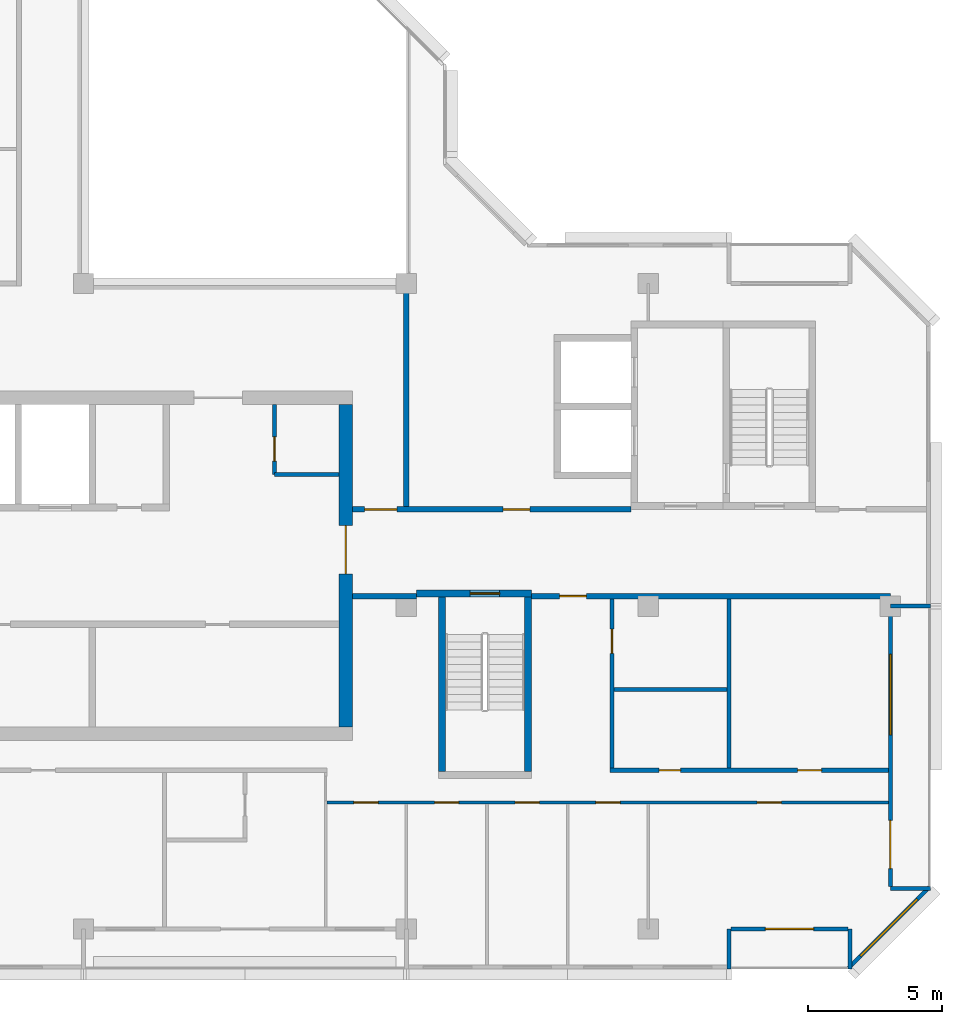
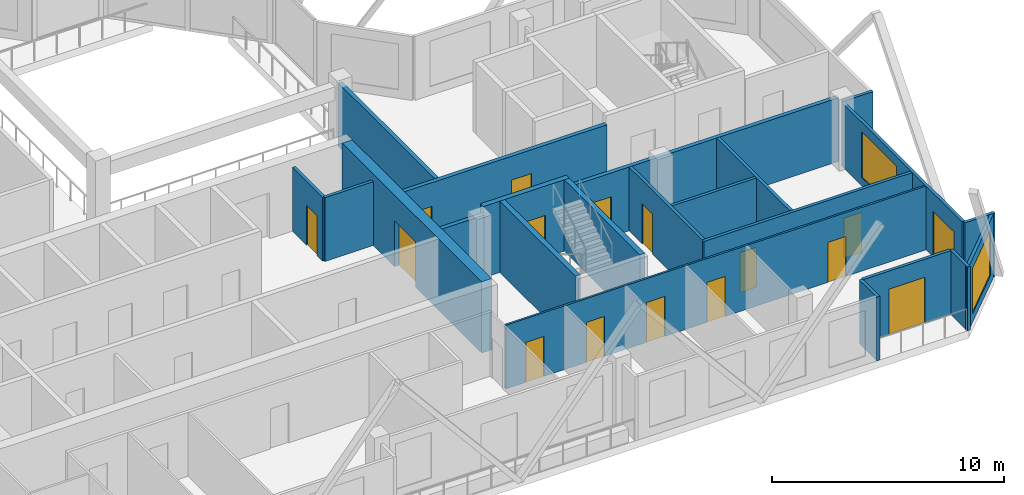
# One storey, part 6 of 12: 22 walls, 16 doors, 2 windows, 18 openings.
"""IFC4 building model written with IfcOpenShell, lengths in metres."""

from ifc_helpers import new_model, si_unit, direction, frame, frame_2d, origin, place, context, subcontext, project, spatial, rectangle, extrude, material, layer, layer_set, type_object, element, fill, save


model = new_model("IFC4")

# Units and contexts
model_context = context("Model", 3, precision=1e-05, world=origin(), true_north=direction((0.0, 1.0)))
body_context = subcontext(model_context, "Body", "Model", "MODEL_VIEW")
ifc_project = project(units=[si_unit("LENGTHUNIT", "METRE"), si_unit("AREAUNIT", "SQUARE_METRE"), si_unit("VOLUMEUNIT", "CUBIC_METRE"), si_unit("PLANEANGLEUNIT", "RADIAN"), si_unit("MASSUNIT", "GRAM", prefix="KILO")], contexts=[model_context])

# Site, building, storey
site_placement = place(None, origin())
site = spatial("IfcSite", under=ifc_project, at=site_placement, CompositionType="ELEMENT")
building_placement = place(site_placement, origin())
building = spatial("IfcBuilding", under=site, at=building_placement, Name="Chenar Terraces", CompositionType="ELEMENT")
storey_placement = place(building_placement, frame((0.0, 0.0, 353.89990234375)))
storey = spatial("IfcBuildingStorey", under=building, at=storey_placement, Name="L82", CompositionType="ELEMENT", Elevation=353.89990234375)

# Wall, opening, door
ifc_material_1 = material(Name="Gypsum board on steel studs", Category="steel")
ifc_layer_1 = layer(ifc_material_1, 0.14990234375)
ifc_layer_set_1 = layer_set([ifc_layer_1], Name="Gypsum board on steel studs")
wall_type_1 = type_object("IfcWallType", Name="Core partition 150 gypsum board", PredefinedType="PARTITIONING", material=ifc_layer_set_1)
wall_1_placement = place(storey_placement, frame((31.10009765625, 16.89990234375, 0.0), z_axis=(0.0, 0.0, 1.0), x_axis=(0.0, 1.0, 0.0)))
wall_1 = element("IfcWall", 1, at=wall_1_placement, inside=storey, type_object=wall_type_1, Name="Core partition CP1 vestibule room west wall", PredefinedType="PARTITIONING", context=body_context, shape_type="SweptSolid", body=[
    extrude(rectangle(XDim=2.60009765625, YDim=0.14990234375, at=frame_2d((1.300048828125, 0.0))), origin(), (0.0, 0.0, 1.0), 3.35009765625),
])
opening_1_placement = place(wall_1_placement, frame((0.5, 0.0, 0.0)))
opening_1 = element("IfcOpeningElement", 2, at=opening_1_placement, cuts=wall_1, Name="Opening DL82-C16", PredefinedType="OPENING", context=body_context, shape_type="SweptSolid", body=[
    extrude(rectangle(XDim=0.89990234375, YDim=2.10009765625, at=frame_2d((0.449951171875, 1.050048828125))), frame((0.0, 0.0849609375, 0.0), z_axis=(0.0, -1.0, 0.0), x_axis=(1.0, 0.0, 0.0)), (0.0, 0.0, 1.0), 0.169921875),
])
ifc_material_2 = material(Name="Steel-framed fire-resisting door leaf", Category="steel")
door_type_1 = type_object("IfcDoorType", Name="Riser fire door FD60 900 x 2100", OperationType="SINGLE_SWING_LEFT", PredefinedType="DOOR", material=ifc_material_2)
door_1_placement = place(opening_1_placement, frame((0.89990234375, 0.0, 0.0), z_axis=(0.0, 0.0, 1.0), x_axis=(-1.0, 0.0, 0.0)))
door_1 = element("IfcDoor", 3, at=door_1_placement, inside=storey, type_object=door_type_1, Name="Core room door DL82-C16", OperationType="SINGLE_SWING_RIGHT", OverallHeight=2.10009765625, OverallWidth=0.89990234375, PredefinedType="DOOR", context=body_context, shape_type="SweptSolid", body=[
    extrude(rectangle(XDim=0.89990234375, YDim=2.10009765625, at=frame_2d((0.449951171875, 1.050048828125))), frame((0.0, 0.02490234375, 0.0), z_axis=(0.0, -1.0, 0.0), x_axis=(1.0, 0.0, 0.0)), (0.0, 0.0, 1.0), 0.050048828125),
])
fill(opening_1, door_1)

# Wall
wall_2_placement = place(storey_placement, frame((31.10009765625, 16.89990234375, 0.0), z_axis=(0.0, 0.0, 1.0), x_axis=(1.0, 0.0, 0.0)))
element("IfcWall", 4, at=wall_2_placement, inside=storey, type_object=wall_type_1, Name="Core partition CP1 vestibule room south wall", PredefinedType="PARTITIONING", context=body_context, shape_type="SweptSolid", body=[
    extrude(rectangle(XDim=2.39990234375, YDim=0.14990234375, at=frame_2d((1.199951171875, 0.0))), origin(), (0.0, 0.0, 1.0), 3.35009765625),
])

# Wall, opening, door
ifc_material_3 = material(Name="Concrete C50/60", Category="concrete")
ifc_layer_2 = layer(ifc_material_3, 0.25)
ifc_layer_set_2 = layer_set([ifc_layer_2], Name="Concrete C50/60")
wall_type_2 = type_object("IfcWallType", Name="Core wall 250 Concrete C50/60", PredefinedType="SHEAR", material=ifc_layer_set_2)
wall_3_placement = place(storey_placement, frame((36.375, 12.47509765625, 0.0), z_axis=(0.0, 0.0, 1.0), x_axis=(1.0, 0.0, 0.0)))
wall_3 = element("IfcWall", 5, at=wall_3_placement, inside=storey, type_object=wall_type_2, Name="Core wall ST2_N L82", PredefinedType="SHEAR", context=body_context, shape_type="SweptSolid", body=[
    extrude(rectangle(XDim=4.27490234375, YDim=0.25, at=frame_2d((2.137451171875, 0.0))), origin(), (0.0, 0.0, 1.0), 3.75),
])
opening_2_placement = place(wall_3_placement, frame((2.0, 0.0, 0.0)))
opening_2 = element("IfcOpeningElement", 6, at=opening_2_placement, cuts=wall_3, Name="Opening DL82-C7", PredefinedType="OPENING", context=body_context, shape_type="SweptSolid", body=[
    extrude(rectangle(XDim=1.10009765625, YDim=2.199951171875, at=frame_2d((0.550048828125, 1.10009765625))), frame((0.0, 0.135009765625, 0.0), z_axis=(0.0, -1.0, 0.0), x_axis=(1.0, 0.0, 0.0)), (0.0, 0.0, 1.0), 0.27001953125),
])
ifc_material_4 = material(Name="Steel-framed fire-resisting door leaf", Category="steel")
door_type_2 = type_object("IfcDoorType", Name="Stair fire door FD60 1100 x 2200", OperationType="SINGLE_SWING_LEFT", PredefinedType="DOOR", material=ifc_material_4)
door_2_placement = place(opening_2_placement, frame((1.10009765625, 0.0, 0.0), z_axis=(0.0, 0.0, 1.0), x_axis=(-1.0, 0.0, 0.0)))
door_2 = element("IfcDoor", 7, at=door_2_placement, inside=storey, type_object=door_type_2, Name="Stair door DL82-C7", OperationType="SINGLE_SWING_LEFT", OverallHeight=2.199951171875, OverallWidth=1.10009765625, PredefinedType="DOOR", context=body_context, shape_type="SweptSolid", body=[
    extrude(rectangle(XDim=1.10009765625, YDim=2.199951171875, at=frame_2d((0.550048828125, 1.10009765625))), frame((0.0, 0.02490234375, 0.0), z_axis=(0.0, -1.0, 0.0), x_axis=(1.0, 0.0, 0.0)), (0.0, 0.0, 1.0), 0.050048828125),
])
fill(opening_2, door_2)

# Walls
for number, where, z_axis, x_axis, name in (
    (8, (37.324951171875, 5.85009765625, 0.0), (0.0, 0.0, 1.0), (0.0, 1.0, 0.0), "Core wall ST2_W L82"),
    (9, (40.52490234375, 5.85009765625, 0.0), (0.0, 0.0, 1.0), (0.0, 1.0, 0.0), "Core wall ST2_E L82"),
):
    element("IfcWall", number, at=place(storey_placement, frame(where, z_axis=z_axis, x_axis=x_axis)), inside=storey, type_object=wall_type_2, Name=name, PredefinedType="SHEAR", context=body_context, shape_type="SweptSolid", body=[
        extrude(rectangle(XDim=6.5, YDim=0.25, at=frame_2d((3.25, 0.0))), origin(), (0.0, 0.0, 1.0), 3.75),
    ])

# Wall, opening, door
ifc_material_5 = material(Name="Concrete C50/60", Category="concrete")
ifc_layer_3 = layer(ifc_material_5, 0.5)
ifc_layer_set_3 = layer_set([ifc_layer_3], Name="Concrete C50/60")
wall_type_3 = type_object("IfcWallType", Name="Core wall 500 Concrete C50/60", PredefinedType="SHEAR", material=ifc_layer_set_3)
wall_4_placement = place(storey_placement, frame((33.75, 7.5, 0.0), z_axis=(0.0, 0.0, 1.0), x_axis=(0.0, 1.0, 0.0)))
wall_4 = element("IfcWall", 10, at=wall_4_placement, inside=storey, type_object=wall_type_3, Name="Core wall E L82", PredefinedType="SHEAR", context=body_context, shape_type="SweptSolid", body=[
    extrude(rectangle(XDim=12.0, YDim=0.5, at=frame_2d((6.0, 0.0))), origin(), (0.0, 0.0, 1.0), 3.75),
])
opening_3_placement = place(wall_4_placement, frame((5.699951171875, 0.0, 0.0)))
opening_3 = element("IfcOpeningElement", 11, at=opening_3_placement, cuts=wall_4, Name="Opening DL82-C1", PredefinedType="OPENING", context=body_context, shape_type="SweptSolid", body=[
    extrude(rectangle(XDim=1.800048828125, YDim=2.39990234375, at=frame_2d((0.89990234375, 1.199951171875))), frame((0.0, 0.260009765625, 0.0), z_axis=(0.0, -1.0, 0.0), x_axis=(1.0, 0.0, 0.0)), (0.0, 0.0, 1.0), 0.52001953125),
])
ifc_material_6 = material(Name="Steel-framed fire-resisting door leaf", Category="steel")
door_type_3 = type_object("IfcDoorType", Name="Core entrance double fire door FD60 1800 x 2400", OperationType="DOUBLE_DOOR_SINGLE_SWING", PredefinedType="DOOR", material=ifc_material_6)
door_3_placement = place(opening_3_placement, origin())
door_3 = element("IfcDoor", 12, at=door_3_placement, inside=storey, type_object=door_type_3, Name="Core door DL82-C1", OperationType="DOUBLE_DOOR_SINGLE_SWING", OverallHeight=2.39990234375, OverallWidth=1.800048828125, PredefinedType="DOOR", context=body_context, shape_type="SweptSolid", body=[
    extrude(rectangle(XDim=1.800048828125, YDim=2.39990234375, at=frame_2d((0.89990234375, 1.199951171875))), frame((0.0, 0.02490234375, 0.0), z_axis=(0.0, -1.0, 0.0), x_axis=(1.0, 0.0, 0.0)), (0.0, 0.0, 1.0), 0.050048828125),
])
fill(opening_3, door_3)

# Wall
ifc_material_7 = material(Name="Gypsum board on steel studs with fire boards", Category="steel")
ifc_layer_4 = layer(ifc_material_7, 0.199951171875)
ifc_layer_set_4 = layer_set([ifc_layer_4], Name="Gypsum board on steel studs with fire boards")
wall_type_4 = type_object("IfcWallType", Name="Corridor wall 200", PredefinedType="PARTITIONING", material=ifc_layer_set_4)
wall_5_placement = place(storey_placement, frame((34.0, 12.375, 0.0), z_axis=(0.0, 0.0, 1.0), x_axis=(1.0, 0.0, 0.0)))
element("IfcWall", 13, at=wall_5_placement, inside=storey, type_object=wall_type_4, Name="Partition L82-052", PredefinedType="PARTITIONING", context=body_context, shape_type="SweptSolid", body=[
    extrude(rectangle(XDim=2.3759765625, YDim=0.199951171875, at=frame_2d((1.18798828125, 0.0))), origin(), (0.0, 0.0, 1.0), 3.35009765625),
])

# Wall, openings, doors
wall_6_placement = place(storey_placement, frame((34.0, 15.60009765625, 0.0), z_axis=(0.0, 0.0, 1.0), x_axis=(1.0, 0.0, 0.0)))
wall_6 = element("IfcWall", 14, at=wall_6_placement, inside=storey, type_object=wall_type_4, Name="Partition L82-053", PredefinedType="PARTITIONING", context=body_context, shape_type="SweptSolid", body=[
    extrude(rectangle(XDim=10.35009765625, YDim=0.199951171875, at=frame_2d((5.175048828125, 0.0))), origin(), (0.0, 0.0, 1.0), 3.35009765625),
])
opening_4_placement = place(wall_6_placement, frame((5.60009765625, 0.0, 0.0)))
opening_4 = element("IfcOpeningElement", 15, at=opening_4_placement, cuts=wall_6, Name="Opening DL82-3", PredefinedType="OPENING", context=body_context, shape_type="SweptSolid", body=[
    extrude(rectangle(XDim=1.0, YDim=2.10009765625, at=frame_2d((0.5, 1.050048828125))), frame((0.0, 0.10986328125, 0.0), z_axis=(0.0, -1.0, 0.0), x_axis=(1.0, 0.0, 0.0)), (0.0, 0.0, 1.0), 0.219970703125),
])
opening_5_placement = place(wall_6_placement, frame((0.449951171875, 0.0, 0.0)))
opening_5 = element("IfcOpeningElement", 16, at=opening_5_placement, cuts=wall_6, Name="Opening DL82-18", PredefinedType="OPENING", context=body_context, shape_type="SweptSolid", body=[
    extrude(rectangle(XDim=1.199951171875, YDim=2.10009765625, at=frame_2d((0.60009765625, 1.050048828125))), frame((0.0, 0.10986328125, 0.0), z_axis=(0.0, -1.0, 0.0), x_axis=(1.0, 0.0, 0.0)), (0.0, 0.0, 1.0), 0.219970703125),
])
ifc_material_8 = material(Name="Steel-framed fire-resisting door leaf", Category="steel")
door_type_4 = type_object("IfcDoorType", Name="Fire door FD60 1000 x 2100", OperationType="SINGLE_SWING_LEFT", PredefinedType="DOOR", material=ifc_material_8)
door_4_placement = place(opening_4_placement, origin())
door_4 = element("IfcDoor", 17, at=door_4_placement, inside=storey, type_object=door_type_4, Name="Door DL82-3", OperationType="SINGLE_SWING_RIGHT", OverallHeight=2.10009765625, OverallWidth=1.0, PredefinedType="DOOR", context=body_context, shape_type="SweptSolid", body=[
    extrude(rectangle(XDim=1.0, YDim=2.10009765625, at=frame_2d((0.5, 1.050048828125))), frame((0.0, 0.02490234375, 0.0), z_axis=(0.0, -1.0, 0.0), x_axis=(1.0, 0.0, 0.0)), (0.0, 0.0, 1.0), 0.050048828125),
])
fill(opening_4, door_4)
ifc_material_9 = material(Name="Steel-framed fire-resisting door leaf", Category="steel")
door_type_5 = type_object("IfcDoorType", Name="Fire door FD60 1200 x 2100", OperationType="SINGLE_SWING_LEFT", PredefinedType="DOOR", material=ifc_material_9)
door_5_placement = place(opening_5_placement, origin())
door_5 = element("IfcDoor", 18, at=door_5_placement, inside=storey, type_object=door_type_5, Name="Door DL82-18", OperationType="SINGLE_SWING_RIGHT", OverallHeight=2.10009765625, OverallWidth=1.199951171875, PredefinedType="DOOR", context=body_context, shape_type="SweptSolid", body=[
    extrude(rectangle(XDim=1.199951171875, YDim=2.10009765625, at=frame_2d((0.60009765625, 1.050048828125))), frame((0.0, 0.02490234375, 0.0), z_axis=(0.0, -1.0, 0.0), x_axis=(1.0, 0.0, 0.0)), (0.0, 0.0, 1.0), 0.050048828125),
])
fill(opening_5, door_5)

# Wall
wall_7_placement = place(storey_placement, frame((36.0, 15.699951171875, 0.0), z_axis=(0.0, 0.0, 1.0), x_axis=(0.0, 1.0, 0.0)))
element("IfcWall", 19, at=wall_7_placement, inside=storey, type_object=wall_type_4, Name="Partition L82-055", PredefinedType="PARTITIONING", context=body_context, shape_type="SweptSolid", body=[
    extrude(rectangle(XDim=8.300048828125, YDim=0.199951171875, at=frame_2d((4.14990234375, 0.0))), origin(), (0.0, 0.0, 1.0), 3.35009765625),
])

# Wall, opening, door
wall_8_placement = place(storey_placement, frame((40.64990234375, 12.375, 0.0), z_axis=(0.0, 0.0, 1.0), x_axis=(1.0, 0.0, 0.0)))
wall_8 = element("IfcWall", 20, at=wall_8_placement, inside=storey, type_object=wall_type_4, Name="Partition L82-057", PredefinedType="PARTITIONING", context=body_context, shape_type="SweptSolid", body=[
    extrude(rectangle(XDim=13.35009765625, YDim=0.199951171875, at=frame_2d((6.675048828125, 0.0))), origin(), (0.0, 0.0, 1.0), 3.35009765625),
])
opening_6_placement = place(wall_8_placement, frame((1.050048828125, 0.0, 0.0)))
opening_6 = element("IfcOpeningElement", 21, at=opening_6_placement, cuts=wall_8, Name="Opening DL82-35", PredefinedType="OPENING", context=body_context, shape_type="SweptSolid", body=[
    extrude(rectangle(XDim=1.0, YDim=2.10009765625, at=frame_2d((0.5, 1.050048828125))), frame((0.0, 0.10986328125, 0.0), z_axis=(0.0, -1.0, 0.0), x_axis=(1.0, 0.0, 0.0)), (0.0, 0.0, 1.0), 0.219970703125),
])
ifc_material_10 = material(Name="Steel-framed fire-resisting door leaf", Category="steel")
door_type_6 = type_object("IfcDoorType", Name="Fire door FD30S 1000 x 2100", OperationType="SINGLE_SWING_LEFT", PredefinedType="DOOR", material=ifc_material_10)
door_6_placement = place(opening_6_placement, origin())
door_6 = element("IfcDoor", 22, at=door_6_placement, inside=storey, type_object=door_type_6, Name="Door DL82-35", OperationType="SINGLE_SWING_LEFT", OverallHeight=2.10009765625, OverallWidth=1.0, PredefinedType="DOOR", context=body_context, shape_type="SweptSolid", body=[
    extrude(rectangle(XDim=1.0, YDim=2.10009765625, at=frame_2d((0.5, 1.050048828125))), frame((0.0, 0.02490234375, 0.0), z_axis=(0.0, -1.0, 0.0), x_axis=(1.0, 0.0, 0.0)), (0.0, 0.0, 1.0), 0.050048828125),
])
fill(opening_6, door_6)

ifc_material_11 = material(Name="Aluminium framed glazing", Category="aluminium")
ifc_layer_5 = layer(ifc_material_11, 0.14990234375)
ifc_layer_set_5 = layer_set([ifc_layer_5], Name="Aluminium framed glazing")
wall_type_5 = type_object("IfcWallType", Name="Glazed loggia back wall 150", PredefinedType="SOLIDWALL", material=ifc_layer_set_5)
wall_9_placement = place(storey_placement, frame((48.074951171875, 0.0, 0.0), z_axis=(0.0, 0.0, 1.0), x_axis=(1.0, 0.0, 0.0)))
wall_9 = element("IfcWall", 23, at=wall_9_placement, inside=storey, type_object=wall_type_5, Name="Glazed loggia back wall", PredefinedType="SOLIDWALL", context=body_context, shape_type="SweptSolid", body=[
    extrude(rectangle(XDim=4.35009765625, YDim=0.14990234375, at=frame_2d((2.175048828125, 0.0))), origin(), (0.0, 0.0, 1.0), 3.35009765625),
])
opening_7_placement = place(wall_9_placement, frame((1.27490234375, 0.0, 0.0)))
opening_7 = element("IfcOpeningElement", 24, at=opening_7_placement, cuts=wall_9, Name="Opening DL82-G5", PredefinedType="OPENING", context=body_context, shape_type="SweptSolid", body=[
    extrude(rectangle(XDim=1.800048828125, YDim=2.39990234375, at=frame_2d((0.89990234375, 1.199951171875))), frame((0.0, 0.0849609375, 0.0), z_axis=(0.0, -1.0, 0.0), x_axis=(1.0, 0.0, 0.0)), (0.0, 0.0, 1.0), 0.169921875),
])
ifc_material_12 = material(Name="Low emissivity double glazing, aluminium frame", Category="aluminium")
door_type_7 = type_object("IfcDoorType", Name="Loggia glazed double door 1800 x 2400", OperationType="DOUBLE_DOOR_SINGLE_SWING", PredefinedType="DOOR", material=ifc_material_12)
door_7_placement = place(opening_7_placement, frame((1.800048828125, 0.0, 0.0), z_axis=(0.0, 0.0, 1.0), x_axis=(-1.0, 0.0, 0.0)))
door_7 = element("IfcDoor", 25, at=door_7_placement, inside=storey, type_object=door_type_7, Name="Loggia glazed door", OperationType="DOUBLE_DOOR_SINGLE_SWING", OverallHeight=2.39990234375, OverallWidth=1.800048828125, PredefinedType="DOOR", context=body_context, shape_type="SweptSolid", body=[
    extrude(rectangle(XDim=1.800048828125, YDim=2.39990234375, at=frame_2d((0.89990234375, 1.199951171875))), frame((0.0, 0.02490234375, 0.0), z_axis=(0.0, -1.0, 0.0), x_axis=(1.0, 0.0, 0.0)), (0.0, 0.0, 1.0), 0.050048828125),
])
fill(opening_7, door_7)

# Wall, openings, window, door
wall_10_placement = place(storey_placement, frame((54.0, 1.574951171875, 0.0), z_axis=(0.0, 0.0, 1.0), x_axis=(0.0, 1.0, 0.0)))
wall_10 = element("IfcWall", 26, at=wall_10_placement, inside=storey, type_object=wall_type_5, Name="Glazed loggia back wall", PredefinedType="SOLIDWALL", context=body_context, shape_type="SweptSolid", body=[
    extrude(rectangle(XDim=10.35009765625, YDim=0.14990234375, at=frame_2d((5.175048828125, 0.0))), origin(), (0.0, 0.0, 1.0), 3.35009765625),
])
opening_8_placement = place(wall_10_placement, frame((0.66259765625, 0.0, 0.0)))
opening_8 = element("IfcOpeningElement", 27, at=opening_8_placement, cuts=wall_10, Name="Opening DL82-G6", PredefinedType="OPENING", context=body_context, shape_type="SweptSolid", body=[
    extrude(rectangle(XDim=1.800048828125, YDim=2.39990234375, at=frame_2d((0.89990234375, 1.199951171875))), frame((0.0, 0.0849609375, 0.0), z_axis=(0.0, -1.0, 0.0), x_axis=(1.0, 0.0, 0.0)), (0.0, 0.0, 1.0), 0.169921875),
])
opening_9_placement = place(wall_10_placement, frame((5.637451171875, 0.0, 0.449951171875)))
opening_9 = element("IfcOpeningElement", 28, at=opening_9_placement, cuts=wall_10, Name="Opening W300x240", PredefinedType="OPENING", context=body_context, shape_type="SweptSolid", body=[
    extrude(rectangle(XDim=3.0, YDim=2.39990234375, at=frame_2d((1.5, 1.199951171875))), frame((0.0, 0.0849609375, 0.0), z_axis=(0.0, -1.0, 0.0), x_axis=(1.0, 0.0, 0.0)), (0.0, 0.0, 1.0), 0.169921875),
])
ifc_material_13 = material(Name="Low emissivity double glazing, aluminium frame", Category="aluminium")
window_type = type_object("IfcWindowType", Name="Fixed light 3000 x 2400", PartitioningType="SINGLE_PANEL", PredefinedType="WINDOW", material=ifc_material_13)
window_1_placement = place(opening_9_placement, origin())
window_1 = element("IfcWindow", 29, at=window_1_placement, inside=storey, type_object=window_type, Name="Window", OverallHeight=2.39990234375, OverallWidth=3.0, PartitioningType="SINGLE_PANEL", PredefinedType="WINDOW", context=body_context, shape_type="SweptSolid", body=[
    extrude(rectangle(XDim=3.0, YDim=2.39990234375, at=frame_2d((1.5, 1.199951171875))), frame((0.0, 0.030029296875, 0.0), z_axis=(0.0, -1.0, 0.0), x_axis=(1.0, 0.0, 0.0)), (0.0, 0.0, 1.0), 0.06005859375),
])
fill(opening_9, window_1)
door_8_placement = place(opening_8_placement, frame((1.800048828125, 0.0, 0.0), z_axis=(0.0, 0.0, 1.0), x_axis=(-1.0, 0.0, 0.0)))
door_8 = element("IfcDoor", 30, at=door_8_placement, inside=storey, type_object=door_type_7, Name="Loggia glazed door", OperationType="DOUBLE_DOOR_SINGLE_SWING", OverallHeight=2.39990234375, OverallWidth=1.800048828125, PredefinedType="DOOR", context=body_context, shape_type="SweptSolid", body=[
    extrude(rectangle(XDim=1.800048828125, YDim=2.39990234375, at=frame_2d((0.89990234375, 1.199951171875))), frame((0.0, 0.02490234375, 0.0), z_axis=(0.0, -1.0, 0.0), x_axis=(1.0, 0.0, 0.0)), (0.0, 0.0, 1.0), 0.050048828125),
])
fill(opening_8, door_8)

# Wall, openings, doors
ifc_material_14 = material(Name="Gypsum board on steel studs", Category="steel")
ifc_layer_6 = layer(ifc_material_14, 0.10009765625)
ifc_layer_set_6 = layer_set([ifc_layer_6], Name="Gypsum board on steel studs")
wall_type_6 = type_object("IfcWallType", Name="Gypsum partition 100", PredefinedType="PARTITIONING", material=ifc_layer_set_6)
wall_11_placement = place(storey_placement, frame((33.050048828125, 4.699951171875, 0.0), z_axis=(0.0, 0.0, 1.0), x_axis=(1.0, 0.0, 0.0)))
wall_11 = element("IfcWall", 31, at=wall_11_placement, inside=storey, type_object=wall_type_6, Name="Partition L82-051", PredefinedType="PARTITIONING", context=body_context, shape_type="SweptSolid", body=[
    extrude(rectangle(XDim=20.8759765625, YDim=0.10009765625, at=frame_2d((10.43798828125, 0.0))), origin(), (0.0, 0.0, 1.0), 3.35009765625),
])
opening_10_placement = place(wall_11_placement, frame((1.0, 0.0, 0.0)))
opening_10 = element("IfcOpeningElement", 32, at=opening_10_placement, cuts=wall_11, Name="Opening DL82-26", PredefinedType="OPENING", context=body_context, shape_type="SweptSolid", body=[
    extrude(rectangle(XDim=0.89990234375, YDim=2.10009765625, at=frame_2d((0.449951171875, 1.050048828125))), frame((0.0, 0.06005859375, 0.0), z_axis=(0.0, -1.0, 0.0), x_axis=(1.0, 0.0, 0.0)), (0.0, 0.0, 1.0), 0.1201171875),
])
opening_11_placement = place(wall_11_placement, frame((4.0, 0.0, 0.0)))
opening_11 = element("IfcOpeningElement", 33, at=opening_11_placement, cuts=wall_11, Name="Opening DL82-27", PredefinedType="OPENING", context=body_context, shape_type="SweptSolid", body=[
    extrude(rectangle(XDim=0.89990234375, YDim=2.10009765625, at=frame_2d((0.449951171875, 1.050048828125))), frame((0.0, 0.06005859375, 0.0), z_axis=(0.0, -1.0, 0.0), x_axis=(1.0, 0.0, 0.0)), (0.0, 0.0, 1.0), 0.1201171875),
])
opening_12_placement = place(wall_11_placement, frame((7.0, 0.0, 0.0)))
opening_12 = element("IfcOpeningElement", 34, at=opening_12_placement, cuts=wall_11, Name="Opening DL82-28", PredefinedType="OPENING", context=body_context, shape_type="SweptSolid", body=[
    extrude(rectangle(XDim=0.89990234375, YDim=2.10009765625, at=frame_2d((0.449951171875, 1.050048828125))), frame((0.0, 0.06005859375, 0.0), z_axis=(0.0, -1.0, 0.0), x_axis=(1.0, 0.0, 0.0)), (0.0, 0.0, 1.0), 0.1201171875),
])
opening_13_placement = place(wall_11_placement, frame((10.0, 0.0, 0.0)))
opening_13 = element("IfcOpeningElement", 35, at=opening_13_placement, cuts=wall_11, Name="Opening DL82-29", PredefinedType="OPENING", context=body_context, shape_type="SweptSolid", body=[
    extrude(rectangle(XDim=0.89990234375, YDim=2.10009765625, at=frame_2d((0.449951171875, 1.050048828125))), frame((0.0, 0.06005859375, 0.0), z_axis=(0.0, -1.0, 0.0), x_axis=(1.0, 0.0, 0.0)), (0.0, 0.0, 1.0), 0.1201171875),
])
opening_14_placement = place(wall_11_placement, frame((16.0, 0.0, 0.0)))
opening_14 = element("IfcOpeningElement", 36, at=opening_14_placement, cuts=wall_11, Name="Opening DL82-38", PredefinedType="OPENING", context=body_context, shape_type="SweptSolid", body=[
    extrude(rectangle(XDim=0.89990234375, YDim=2.10009765625, at=frame_2d((0.449951171875, 1.050048828125))), frame((0.0, 0.06005859375, 0.0), z_axis=(0.0, -1.0, 0.0), x_axis=(1.0, 0.0, 0.0)), (0.0, 0.0, 1.0), 0.1201171875),
])
ifc_material_15 = material(Name="Veneered timber door leaf", Category="wood")
door_type_8 = type_object("IfcDoorType", Name="Door 900 x 2100", OperationType="SINGLE_SWING_LEFT", PredefinedType="DOOR", material=ifc_material_15)
door_9_placement = place(opening_10_placement, frame((0.89990234375, 0.0, 0.0), z_axis=(0.0, 0.0, 1.0), x_axis=(-1.0, 0.0, 0.0)))
door_9 = element("IfcDoor", 37, at=door_9_placement, inside=storey, type_object=door_type_8, Name="Door DL82-26", OperationType="SINGLE_SWING_LEFT", OverallHeight=2.10009765625, OverallWidth=0.89990234375, PredefinedType="DOOR", context=body_context, shape_type="SweptSolid", body=[
    extrude(rectangle(XDim=0.89990234375, YDim=2.10009765625, at=frame_2d((0.449951171875, 1.050048828125))), frame((0.0, 0.02490234375, 0.0), z_axis=(0.0, -1.0, 0.0), x_axis=(1.0, 0.0, 0.0)), (0.0, 0.0, 1.0), 0.050048828125),
])
fill(opening_10, door_9)
door_10_placement = place(opening_11_placement, frame((0.89990234375, 0.0, 0.0), z_axis=(0.0, 0.0, 1.0), x_axis=(-1.0, 0.0, 0.0)))
door_10 = element("IfcDoor", 38, at=door_10_placement, inside=storey, type_object=door_type_8, Name="Door DL82-27", OperationType="SINGLE_SWING_LEFT", OverallHeight=2.10009765625, OverallWidth=0.89990234375, PredefinedType="DOOR", context=body_context, shape_type="SweptSolid", body=[
    extrude(rectangle(XDim=0.89990234375, YDim=2.10009765625, at=frame_2d((0.449951171875, 1.050048828125))), frame((0.0, 0.02490234375, 0.0), z_axis=(0.0, -1.0, 0.0), x_axis=(1.0, 0.0, 0.0)), (0.0, 0.0, 1.0), 0.050048828125),
])
fill(opening_11, door_10)
door_11_placement = place(opening_12_placement, frame((0.89990234375, 0.0, 0.0), z_axis=(0.0, 0.0, 1.0), x_axis=(-1.0, 0.0, 0.0)))
door_11 = element("IfcDoor", 39, at=door_11_placement, inside=storey, type_object=door_type_8, Name="Door DL82-28", OperationType="SINGLE_SWING_LEFT", OverallHeight=2.10009765625, OverallWidth=0.89990234375, PredefinedType="DOOR", context=body_context, shape_type="SweptSolid", body=[
    extrude(rectangle(XDim=0.89990234375, YDim=2.10009765625, at=frame_2d((0.449951171875, 1.050048828125))), frame((0.0, 0.02490234375, 0.0), z_axis=(0.0, -1.0, 0.0), x_axis=(1.0, 0.0, 0.0)), (0.0, 0.0, 1.0), 0.050048828125),
])
fill(opening_12, door_11)
door_12_placement = place(opening_13_placement, frame((0.89990234375, 0.0, 0.0), z_axis=(0.0, 0.0, 1.0), x_axis=(-1.0, 0.0, 0.0)))
door_12 = element("IfcDoor", 40, at=door_12_placement, inside=storey, type_object=door_type_8, Name="Door DL82-29", OperationType="SINGLE_SWING_LEFT", OverallHeight=2.10009765625, OverallWidth=0.89990234375, PredefinedType="DOOR", context=body_context, shape_type="SweptSolid", body=[
    extrude(rectangle(XDim=0.89990234375, YDim=2.10009765625, at=frame_2d((0.449951171875, 1.050048828125))), frame((0.0, 0.02490234375, 0.0), z_axis=(0.0, -1.0, 0.0), x_axis=(1.0, 0.0, 0.0)), (0.0, 0.0, 1.0), 0.050048828125),
])
fill(opening_13, door_12)
door_13_placement = place(opening_14_placement, frame((0.89990234375, 0.0, 0.0), z_axis=(0.0, 0.0, 1.0), x_axis=(-1.0, 0.0, 0.0)))
door_13 = element("IfcDoor", 41, at=door_13_placement, inside=storey, type_object=door_type_8, Name="Door DL82-38", OperationType="SINGLE_SWING_LEFT", OverallHeight=2.10009765625, OverallWidth=0.89990234375, PredefinedType="DOOR", context=body_context, shape_type="SweptSolid", body=[
    extrude(rectangle(XDim=0.89990234375, YDim=2.10009765625, at=frame_2d((0.449951171875, 1.050048828125))), frame((0.0, 0.02490234375, 0.0), z_axis=(0.0, -1.0, 0.0), x_axis=(1.0, 0.0, 0.0)), (0.0, 0.0, 1.0), 0.050048828125),
])
fill(opening_14, door_13)

# Walls
ifc_material_16 = material(Name="Terracotta cladding on insulated backing", Category="masonry")
ifc_layer_7 = layer(ifc_material_16, 0.14990234375)
ifc_layer_set_7 = layer_set([ifc_layer_7], Name="Terracotta cladding on insulated backing")
wall_type_7 = type_object("IfcWallType", Name="Loggia return wall 150", PredefinedType="SOLIDWALL", material=ifc_layer_set_7)
for number, where, z_axis, x_axis, name in (
    (42, (48.0, -1.5, 0.0), (0.0, 0.0, 1.0), (0.0, 1.0, 0.0), "Loggia return wall"),
    (43, (52.5, -1.5, 0.0), (0.0, 0.0, 1.0), (0.0, 1.0, 0.0), "Loggia return wall"),
    (44, (55.5, 1.5, 0.0), (0.0, 0.0, 1.0), (-1.0, 0.0, 0.0), "Loggia return wall"),
    (45, (55.5, 12.0, 0.0), (0.0, 0.0, 1.0), (-1.0, 0.0, 0.0), "Loggia return wall"),
):
    element("IfcWall", number, at=place(storey_placement, frame(where, z_axis=z_axis, x_axis=x_axis)), inside=storey, type_object=wall_type_7, Name=name, PredefinedType="SOLIDWALL", context=body_context, shape_type="SweptSolid", body=[
        extrude(rectangle(XDim=1.5, YDim=0.14990234375, at=frame_2d((0.75, 0.0))), origin(), (0.0, 0.0, 1.0), 3.35009765625),
    ])

# Wall, opening, window
ifc_material_17 = material(Name="Terracotta cladding on insulated backing", Category="masonry")
ifc_layer_8 = layer(ifc_material_17, 0.14990234375)
ifc_layer_set_8 = layer_set([ifc_layer_8], Name="Terracotta cladding on insulated backing")
wall_type_8 = type_object("IfcWallType", Name="Terracotta rainscreen wall 150", PredefinedType="SOLIDWALL", material=ifc_layer_set_8)
wall_12_placement = place(storey_placement, frame((52.447021484375, -1.447021484375, 0.0), z_axis=(0.0, 0.0, 1.0), x_axis=(0.707106781187, 0.707106781187, 0.0)))
wall_12 = element("IfcWall", 46, at=wall_12_placement, inside=storey, type_object=wall_type_8, Name="Terracotta rainscreen wall", PredefinedType="SOLIDWALL", context=body_context, shape_type="SweptSolid", body=[
    extrude(rectangle(XDim=4.24267578125, YDim=0.14990234375, at=frame_2d((2.121337890625, 0.0))), origin(), (0.0, 0.0, 1.0), 3.35009765625),
])
opening_15_placement = place(wall_12_placement, frame((0.621337890625, 0.0, 0.449951171875)))
opening_15 = element("IfcOpeningElement", 47, at=opening_15_placement, cuts=wall_12, Name="Opening W300x240", PredefinedType="OPENING", context=body_context, shape_type="SweptSolid", body=[
    extrude(rectangle(XDim=3.0, YDim=2.39990234375, at=frame_2d((1.5, 1.199951171875))), frame((0.0, 0.0849609375, 0.0), z_axis=(0.0, -1.0, 0.0), x_axis=(1.0, 0.0, 0.0)), (0.0, 0.0, 1.0), 0.169921875),
])
window_2_placement = place(opening_15_placement, origin())
window_2 = element("IfcWindow", 48, at=window_2_placement, inside=storey, type_object=window_type, Name="Window", OverallHeight=2.39990234375, OverallWidth=3.0, PartitioningType="SINGLE_PANEL", PredefinedType="WINDOW", context=body_context, shape_type="SweptSolid", body=[
    extrude(rectangle(XDim=3.0, YDim=2.39990234375, at=frame_2d((1.5, 1.199951171875))), frame((0.0, 0.030029296875, 0.0), z_axis=(0.0, -1.0, 0.0), x_axis=(1.0, 0.0, 0.0)), (0.0, 0.0, 1.0), 0.06005859375),
])
fill(opening_15, window_2)

# Wall, openings, doors
ifc_material_18 = material(Name="Moisture-resistant gypsum board on steel studs", Category="steel")
ifc_layer_9 = layer(ifc_material_18, 0.14990234375)
ifc_layer_set_9 = layer_set([ifc_layer_9], Name="Moisture-resistant gypsum board on steel studs")
wall_type_9 = type_object("IfcWallType", Name="Wet-room partition 150", PredefinedType="PARTITIONING", material=ifc_layer_set_9)
wall_13_placement = place(storey_placement, frame((43.574951171875, 5.89990234375, 0.0), z_axis=(0.0, 0.0, 1.0), x_axis=(1.0, 0.0, 0.0)))
wall_13 = element("IfcWall", 49, at=wall_13_placement, inside=storey, type_object=wall_type_9, Name="Partition L82-059", PredefinedType="PARTITIONING", context=body_context, shape_type="SweptSolid", body=[
    extrude(rectangle(XDim=10.35107421875, YDim=0.14990234375, at=frame_2d((5.175537109375, 0.0))), origin(), (0.0, 0.0, 1.0), 3.35009765625),
])
opening_16_placement = place(wall_13_placement, frame((1.824951171875, 0.0, 0.0)))
opening_16 = element("IfcOpeningElement", 50, at=opening_16_placement, cuts=wall_13, Name="Opening DL82-23", PredefinedType="OPENING", context=body_context, shape_type="SweptSolid", body=[
    extrude(rectangle(XDim=0.800048828125, YDim=2.10009765625, at=frame_2d((0.39990234375, 1.050048828125))), frame((0.0, 0.0849609375, 0.0), z_axis=(0.0, -1.0, 0.0), x_axis=(1.0, 0.0, 0.0)), (0.0, 0.0, 1.0), 0.169921875),
])
opening_17_placement = place(wall_13_placement, frame((6.97509765625, 0.0, 0.0)))
opening_17 = element("IfcOpeningElement", 51, at=opening_17_placement, cuts=wall_13, Name="Opening DL82-33", PredefinedType="OPENING", context=body_context, shape_type="SweptSolid", body=[
    extrude(rectangle(XDim=0.89990234375, YDim=2.10009765625, at=frame_2d((0.449951171875, 1.050048828125))), frame((0.0, 0.0849609375, 0.0), z_axis=(0.0, -1.0, 0.0), x_axis=(1.0, 0.0, 0.0)), (0.0, 0.0, 1.0), 0.169921875),
])
ifc_material_19 = material(Name="Veneered timber door leaf", Category="wood")
door_type_9 = type_object("IfcDoorType", Name="Door 800 x 2100", OperationType="SINGLE_SWING_LEFT", PredefinedType="DOOR", material=ifc_material_19)
door_14_placement = place(opening_16_placement, origin())
door_14 = element("IfcDoor", 52, at=door_14_placement, inside=storey, type_object=door_type_9, Name="Door DL82-23", OperationType="SINGLE_SWING_RIGHT", OverallHeight=2.10009765625, OverallWidth=0.800048828125, PredefinedType="DOOR", context=body_context, shape_type="SweptSolid", body=[
    extrude(rectangle(XDim=0.800048828125, YDim=2.10009765625, at=frame_2d((0.39990234375, 1.050048828125))), frame((0.0, 0.02490234375, 0.0), z_axis=(0.0, -1.0, 0.0), x_axis=(1.0, 0.0, 0.0)), (0.0, 0.0, 1.0), 0.050048828125),
])
fill(opening_16, door_14)
door_15_placement = place(opening_17_placement, origin())
door_15 = element("IfcDoor", 53, at=door_15_placement, inside=storey, type_object=door_type_8, Name="Door DL82-33", OperationType="SINGLE_SWING_RIGHT", OverallHeight=2.10009765625, OverallWidth=0.89990234375, PredefinedType="DOOR", context=body_context, shape_type="SweptSolid", body=[
    extrude(rectangle(XDim=0.89990234375, YDim=2.10009765625, at=frame_2d((0.449951171875, 1.050048828125))), frame((0.0, 0.02490234375, 0.0), z_axis=(0.0, -1.0, 0.0), x_axis=(1.0, 0.0, 0.0)), (0.0, 0.0, 1.0), 0.050048828125),
])
fill(opening_17, door_15)

# Wall, opening, door
wall_14_placement = place(storey_placement, frame((43.64990234375, 5.97509765625, 0.0), z_axis=(0.0, 0.0, 1.0), x_axis=(0.0, 1.0, 0.0)))
wall_14 = element("IfcWall", 54, at=wall_14_placement, inside=storey, type_object=wall_type_9, Name="Partition L82-060", PredefinedType="PARTITIONING", context=body_context, shape_type="SweptSolid", body=[
    extrude(rectangle(XDim=6.2998046875, YDim=0.14990234375, at=frame_2d((3.14990234375, 0.0))), origin(), (0.0, 0.0, 1.0), 3.35009765625),
])
opening_18_placement = place(wall_14_placement, frame((4.27490234375, 0.0, 0.0)))
opening_18 = element("IfcOpeningElement", 55, at=opening_18_placement, cuts=wall_14, Name="Opening DL82-36", PredefinedType="OPENING", context=body_context, shape_type="SweptSolid", body=[
    extrude(rectangle(XDim=0.89990234375, YDim=2.10009765625, at=frame_2d((0.449951171875, 1.050048828125))), frame((0.0, 0.0849609375, 0.0), z_axis=(0.0, -1.0, 0.0), x_axis=(1.0, 0.0, 0.0)), (0.0, 0.0, 1.0), 0.169921875),
])
door_16_placement = place(opening_18_placement, frame((0.89990234375, 0.0, 0.0), z_axis=(0.0, 0.0, 1.0), x_axis=(-1.0, 0.0, 0.0)))
door_16 = element("IfcDoor", 56, at=door_16_placement, inside=storey, type_object=door_type_8, Name="Door DL82-36", OperationType="SINGLE_SWING_LEFT", OverallHeight=2.10009765625, OverallWidth=0.89990234375, PredefinedType="DOOR", context=body_context, shape_type="SweptSolid", body=[
    extrude(rectangle(XDim=0.89990234375, YDim=2.10009765625, at=frame_2d((0.449951171875, 1.050048828125))), frame((0.0, 0.02490234375, 0.0), z_axis=(0.0, -1.0, 0.0), x_axis=(1.0, 0.0, 0.0)), (0.0, 0.0, 1.0), 0.050048828125),
])
fill(opening_18, door_16)

# Walls
wall_15_placement = place(storey_placement, frame((43.72509765625, 8.89990234375, 0.0), z_axis=(0.0, 0.0, 1.0), x_axis=(1.0, 0.0, 0.0)))
element("IfcWall", 57, at=wall_15_placement, inside=storey, type_object=wall_type_9, Name="Partition L82-061", PredefinedType="PARTITIONING", context=body_context, shape_type="SweptSolid", body=[
    extrude(rectangle(XDim=4.199951171875, YDim=0.14990234375, at=frame_2d((2.10009765625, 0.0))), origin(), (0.0, 0.0, 1.0), 3.35009765625),
])
wall_16_placement = place(storey_placement, frame((48.0, 5.97509765625, 0.0), z_axis=(0.0, 0.0, 1.0), x_axis=(0.0, 1.0, 0.0)))
element("IfcWall", 58, at=wall_16_placement, inside=storey, type_object=wall_type_9, Name="Partition L82-064", PredefinedType="PARTITIONING", context=body_context, shape_type="SweptSolid", body=[
    extrude(rectangle(XDim=6.2998046875, YDim=0.14990234375, at=frame_2d((3.14990234375, 0.0))), origin(), (0.0, 0.0, 1.0), 3.35009765625),
])

save(model, "model.ifc")
